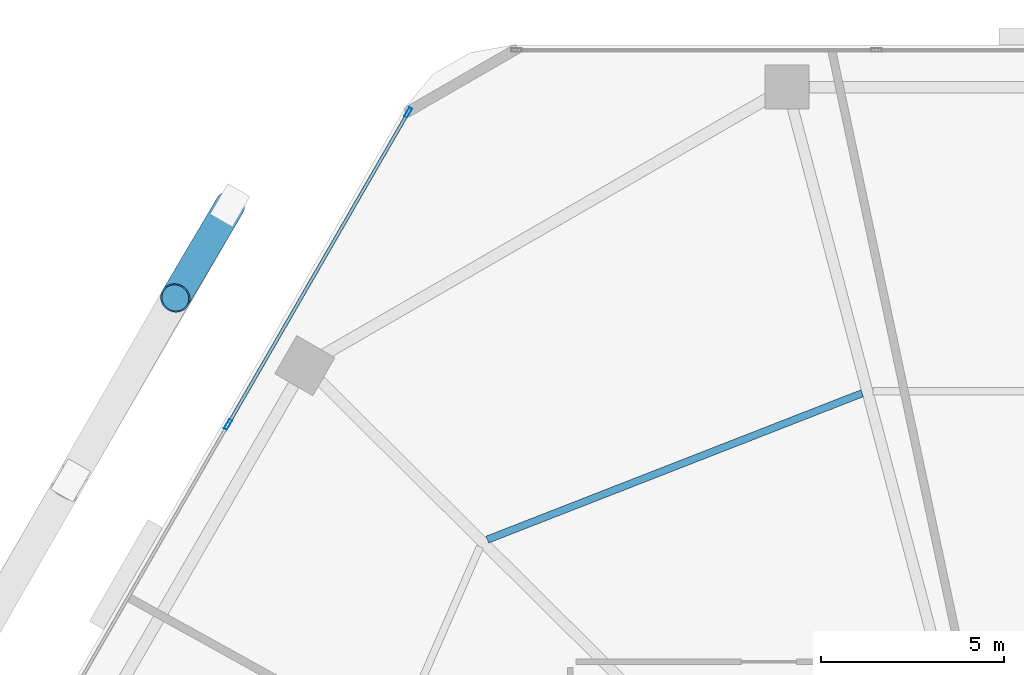
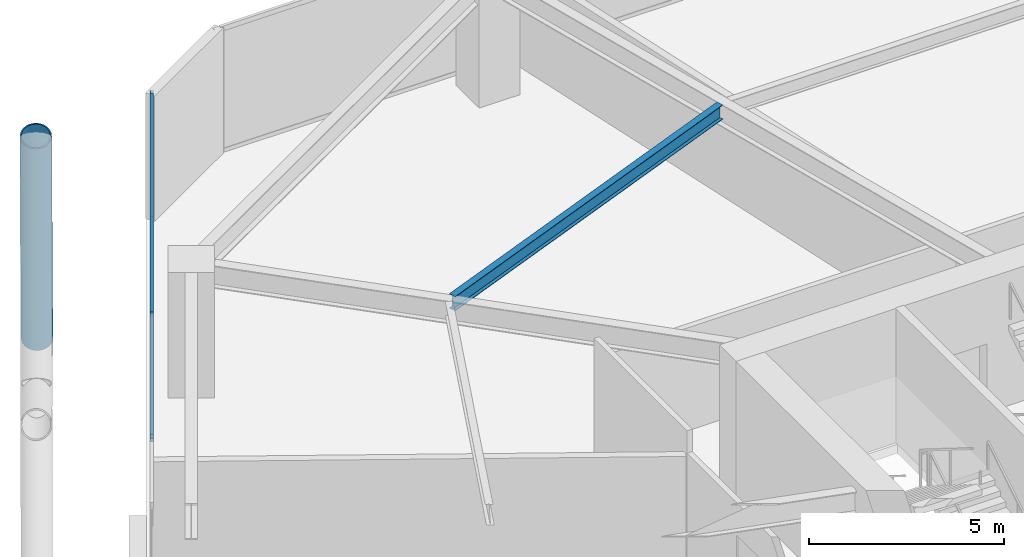
# One storey, part 16 of 30: 5 members, 1 beam, 1 element without a shape of its own.
"""IFC4 building model written with IfcOpenShell, lengths in metres."""

import ifcopenshell
import ifcopenshell.guid

model = None  # the IFC model being written
_history = None  # IfcOwnerHistory: only IFC2X3 demands one
_inside = {}  # id of a spatial element -> (the spatial element, [elements in it])
_under = {}  # id of a project, library or spatial element -> (it, [spatial elements below it])
_declared = {}  # id of a project -> (the project, [libraries it declares])
_typed = {}  # id of a type object -> (the type object, [elements of that type])
_made_of = {}  # id of a material, layer set ... -> (it, [elements and type objects made of it])


def new_model(schema):
    """Start an empty IFC model of exactly this schema.

    Asked for "IFC4X3", IfcOpenShell would pick the latest addendum, in which some entities
    have other attributes; the version numbers below select the first issue.
    IFC2X3 requires an IfcOwnerHistory on every rooted entity: one is made here for all.
    """
    global model, _history
    if schema == "IFC4X3":
        model = ifcopenshell.file(schema_version=(4, 3, 0, 0))
    else:
        model = ifcopenshell.file(schema=schema)
    _inside.clear()
    _under.clear()
    _declared.clear()
    _typed.clear()
    _made_of.clear()
    _history = None
    if model.schema == "IFC2X3":
        org = make("IfcOrganization", Name="unknown")
        user = make(
            "IfcPersonAndOrganization",
            ThePerson=make("IfcPerson", FamilyName="unknown"),
            TheOrganization=org,
        )
        app = make(
            "IfcApplication",
            ApplicationDeveloper=org,
            Version="unknown",
            ApplicationFullName="unknown",
            ApplicationIdentifier="unknown",
        )
        _history = make(
            "IfcOwnerHistory",
            OwningUser=user,
            OwningApplication=app,
            ChangeAction="ADDED",
            CreationDate=0,
        )
    return model


def make(cls, **values):
    """One entity of the class cls with the attributes given. An attribute that is None is left unset."""
    return model.create_entity(
        cls, **{name: value for name, value in values.items() if value is not None}
    )


def rooted(cls, **values):
    """An entity with a GlobalId (a new one), such as an element, a storey or a relation."""
    return make(cls, GlobalId=ifcopenshell.guid.new(), OwnerHistory=_history, **values)


def si_unit(unit_type, name, prefix=None):
    """IfcSIUnit, for example si_unit("LENGTHUNIT", "METRE", prefix="MILLI")."""
    return make("IfcSIUnit", UnitType=unit_type, Prefix=prefix, Name=name)


def assignment(units):
    """IfcUnitAssignment: the units of a project."""
    return None if units is None else make("IfcUnitAssignment", Units=units)


def point(xyz):
    """IfcCartesianPoint."""
    return None if xyz is None else make("IfcCartesianPoint", Coordinates=xyz)


def direction(xyz):
    """IfcDirection."""
    return None if xyz is None else make("IfcDirection", DirectionRatios=xyz)


def frame(location, z_axis=None, x_axis=None):
    """IfcAxis2Placement3D, a coordinate frame: its origin and axes. An axis left out is left unset."""
    return make(
        "IfcAxis2Placement3D",
        Location=point(location),
        Axis=direction(z_axis),
        RefDirection=direction(x_axis),
    )


def frame_2d(location, x_axis=None):
    """IfcAxis2Placement2D, a coordinate frame in the plane: its origin and x axis."""
    return make(
        "IfcAxis2Placement2D", Location=point(location), RefDirection=direction(x_axis)
    )


def origin():
    """The frame at (0, 0, 0) with its axes left unset."""
    return frame((0.0, 0.0, 0.0))


def origin_2d():
    """The frame at (0, 0) in the plane with its x axis left unset."""
    return frame_2d((0.0, 0.0))


def place(relative_to, where):
    """IfcLocalPlacement: puts the frame where relative to a parent placement (None: the world)."""
    return make(
        "IfcLocalPlacement", PlacementRelTo=relative_to, RelativePlacement=where
    )


def context(
    kind, dimensions, precision=None, world=None, true_north=None, identifier=None
):
    """IfcGeometricRepresentationContext, for example the 3D "Model" context."""
    return make(
        "IfcGeometricRepresentationContext",
        ContextIdentifier=identifier,
        ContextType=kind,
        CoordinateSpaceDimension=dimensions,
        Precision=precision,
        WorldCoordinateSystem=world,
        TrueNorth=true_north,
    )


def subcontext(parent, identifier, kind, view, scale=None):
    """IfcGeometricRepresentationSubContext, for example "Body" below "Model"."""
    return make(
        "IfcGeometricRepresentationSubContext",
        ContextIdentifier=identifier,
        ContextType=kind,
        ParentContext=parent,
        TargetScale=scale,
        TargetView=view,
    )


def project(units=None, contexts=None):
    """IfcProject with its units and contexts."""
    return rooted(
        "IfcProject",
        Name="project",
        RepresentationContexts=contexts,
        UnitsInContext=assignment(units),
    )


def spatial(cls, under=None, at=None, **own):
    """A site, building, storey or space (cls), placed at a placement, below another one or the project."""
    s = rooted(cls, ObjectPlacement=at, **own)
    if under is not None:
        _under.setdefault(under.id(), (under, []))[1].append(s)
    return s


def profile(cls, at=None, kind="AREA", **sizes):
    """A parametric profile (cls). Its sizes go by their IFC names, for example OverallWidth=200.0."""
    return make(cls, ProfileType=kind, Position=at, **sizes)


def hollow_rectangle(**sizes):
    """IfcRectangleHollowProfileDef."""
    return profile("IfcRectangleHollowProfileDef", **sizes)


def hollow_circle(**sizes):
    """IfcCircleHollowProfileDef."""
    return profile("IfcCircleHollowProfileDef", **sizes)


def i_section(**sizes):
    """IfcIShapeProfileDef."""
    return profile("IfcIShapeProfileDef", **sizes)


def extrude(swept, where, along, depth):
    """IfcExtrudedAreaSolid: the profile swept, set in the frame where, extruded along a direction by depth."""
    return make(
        "IfcExtrudedAreaSolid",
        SweptArea=swept,
        Position=where,
        ExtrudedDirection=direction(along),
        Depth=depth,
    )


def shape(context_of_items, identifier, shape_type, items):
    """IfcShapeRepresentation: the items that make up one representation, for example the "Body"."""
    return make(
        "IfcShapeRepresentation",
        ContextOfItems=context_of_items,
        RepresentationIdentifier=identifier,
        RepresentationType=shape_type,
        Items=items,
    )


def material(Name=None, Category=None):
    """IfcMaterial."""
    return make("IfcMaterial", Name=Name, Category=Category)


def material_profile(
    of_material, cross_section, Name=None, Category=None, Priority=None
):
    """IfcMaterialProfile: a cross section and its material."""
    return make(
        "IfcMaterialProfile",
        Name=Name,
        Material=of_material,
        Profile=cross_section,
        Priority=Priority,
        Category=Category,
    )


def profile_set(profiles, Name=None, composite=None):
    """IfcMaterialProfileSet."""
    return make(
        "IfcMaterialProfileSet",
        Name=Name,
        MaterialProfiles=profiles,
        CompositeProfile=composite,
    )


def made_of(thing, what):
    """Note that an element or type object is made of a material, layer set ...; save() writes the relation."""
    if what is not None:
        _made_of.setdefault(what.id(), (what, []))[1].append(thing)
    return thing


def type_object(cls, material=None, **own):
    """A type object (cls), such as IfcWallType, which elements share."""
    return made_of(rooted(cls, **own), material)


def element(
    cls,
    number,
    at=None,
    inside=None,
    cuts=None,
    type_object=None,
    material=None,
    context=None,
    identifier="Body",
    shape_type=None,
    held_by="IfcProductDefinitionShape",
    body=None,
    shapes=None,
    **own,
):
    """One element of the class cls, such as IfcWall. Its Tag is "e" and its number.

    at: its placement. inside: the storey or other place that contains it. cuts: it is an
    opening in that element (IfcRelVoidsElement). A single representation is given by context,
    identifier, shape_type and body (its items); several are given by shapes. held_by: the class
    of the entity that holds the representations. save() writes the other relations.
    """
    e = rooted(cls, Tag="e%d" % number, ObjectPlacement=at, **own)
    if body is not None:
        shapes = [shape(context, identifier, shape_type, body)]
    if shapes is not None:
        e.Representation = make(held_by, Representations=shapes)
    if inside is not None:
        _inside.setdefault(inside.id(), (inside, []))[1].append(e)
    if cuts is not None:
        rooted(
            "IfcRelVoidsElement", RelatingBuildingElement=cuts, RelatedOpeningElement=e
        )
    if type_object is not None:
        _typed.setdefault(type_object.id(), (type_object, []))[1].append(e)
    return made_of(e, material)


def aggregate(whole, parts):
    """IfcRelAggregates: a whole, such as a stair, and the parts it consists of."""
    return rooted("IfcRelAggregates", RelatingObject=whole, RelatedObjects=parts)


def save(model, path):
    """Write the relations noted so far, then the file.

    IfcRelAggregates (storeys below a building ...), IfcRelContainedInSpatialStructure (elements
    in a storey), IfcRelDefinesByType, IfcRelAssociatesMaterial and IfcRelDeclares: one each for
    every whole, place, type object, material and project.
    """
    for whole, parts in _under.values():
        aggregate(whole, parts)
    for where, things in _inside.values():
        rooted(
            "IfcRelContainedInSpatialStructure",
            RelatedElements=things,
            RelatingStructure=where,
        )
    for kind, things in _typed.values():
        rooted("IfcRelDefinesByType", RelatedObjects=things, RelatingType=kind)
    for what, things in _made_of.values():
        rooted("IfcRelAssociatesMaterial", RelatedObjects=things, RelatingMaterial=what)
    for by, libraries in _declared.values():
        rooted("IfcRelDeclares", RelatingContext=by, RelatedDefinitions=libraries)
    model.write(path)


model = new_model("IFC4")

# Units and contexts
model_context = context("Model", 3, precision=1e-05, world=origin(), true_north=direction((0.0, 1.0)))
body_context = subcontext(model_context, "Body", "Model", "MODEL_VIEW")
ifc_project = project(units=[si_unit("LENGTHUNIT", "METRE"), si_unit("AREAUNIT", "SQUARE_METRE"), si_unit("VOLUMEUNIT", "CUBIC_METRE"), si_unit("PLANEANGLEUNIT", "RADIAN"), si_unit("MASSUNIT", "GRAM", prefix="KILO")], contexts=[model_context])

# Site, building, storey
site_placement = place(None, origin())
site = spatial("IfcSite", under=ifc_project, at=site_placement, CompositionType="ELEMENT")
building_placement = place(site_placement, origin())
building = spatial("IfcBuilding", under=site, at=building_placement, Name="Zuhravey Tower", CompositionType="ELEMENT")
storey_placement = place(building_placement, frame((0.0, 0.0, 58.199951171875)))
storey = spatial("IfcBuildingStorey", under=building, at=storey_placement, Name="L14", CompositionType="ELEMENT", Elevation=58.199951171875)

# Curtain wall, members
ifc_material_1 = material(Name="Thermally broken anodised aluminium", Category="aluminium")
curtain_wall_type = type_object("IfcCurtainWallType", Name="School Low-E Unitised Curtain Wall CW1", PredefinedType="NOTDEFINED", material=ifc_material_1)
curtain_wall_placement = place(storey_placement, origin())
curtain_wall = element("IfcCurtainWall", 1, at=curtain_wall_placement, inside=storey, type_object=curtain_wall_type, Name="L14 CW1 CW-L14-F3-1", PredefinedType="NOTDEFINED")
ifc_material_2 = material(Name="Anodised aluminium", Category="aluminium")
ifc_material_profile_1 = material_profile(ifc_material_2, hollow_rectangle(XDim=0.090087890625, YDim=0.284912109375, WallThickness=0.0048828125, at=origin_2d()), Name="ALU-RHS-90x285x5")
ifc_profile_set_1 = profile_set([ifc_material_profile_1], Name="Anodised aluminium")
member_type_1 = type_object("IfcMemberType", Name="Curtain-Wall Mullion 90x180", PredefinedType="MULLION", material=ifc_profile_set_1)
member_1_placement = place(storey_placement, frame((13.387939453125, 50.75146484375, 0.0), z_axis=(0.0, 0.0, 1.0), x_axis=(-0.86602552265, 0.499999794119, 0.0)))
member_1 = element("IfcMember", 2, at=member_1_placement, type_object=member_type_1, Name="CW1 mullion 3", PredefinedType="MULLION", context=body_context, shape_type="SweptSolid", body=[
    extrude(hollow_rectangle(XDim=0.090087890625, YDim=0.284912109375, WallThickness=0.0048828125, at=origin_2d()), origin(), (0.0, 0.0, 1.0), 3.920166015625),
])
member_2_placement = place(storey_placement, frame((18.298583984375, 59.257080078125, 0.0), z_axis=(0.0, 0.0, 1.0), x_axis=(-0.86602552265, 0.499999794119, 0.0)))
member_2 = element("IfcMember", 3, at=member_2_placement, type_object=member_type_1, Name="CW1 mullion 4", PredefinedType="MULLION", context=body_context, shape_type="SweptSolid", body=[
    extrude(hollow_rectangle(XDim=0.090087890625, YDim=0.284912109375, WallThickness=0.0048828125, at=origin_2d()), origin(), (0.0, 0.0, 1.0), 3.920166015625),
])
ifc_material_profile_2 = material_profile(ifc_material_2, hollow_rectangle(XDim=0.090087890625, YDim=0.14990234375, WallThickness=0.0048828125, at=origin_2d()), Name="ALU-RHS-90x150x5")
ifc_profile_set_2 = profile_set([ifc_material_profile_2], Name="Anodised aluminium")
member_type_2 = type_object("IfcMemberType", Name="Curtain-Wall Transom 90x150", PredefinedType="USERDEFINED", material=ifc_profile_set_2)
member_3_placement = place(storey_placement, frame((13.410400390625, 50.79052734375, 0.045166015625), z_axis=(0.499989576763, 0.86603142156, 0.0), x_axis=(-0.86603142156, 0.499989576763, 0.0)))
member_3 = element("IfcMember", 4, at=member_3_placement, type_object=member_type_2, Name="CW1 transom 3.1", ObjectType="TRANSOM", PredefinedType="USERDEFINED", context=body_context, shape_type="SweptSolid", body=[
    extrude(hollow_rectangle(XDim=0.090087890625, YDim=0.14990234375, WallThickness=0.0048828125, at=origin_2d()), origin(), (0.0, 0.0, 1.0), 9.731201171875),
])
member_4_placement = place(storey_placement, frame((13.410400390625, 50.79052734375, 3.875), z_axis=(0.499989576763, 0.86603142156, 0.0), x_axis=(-0.86603142156, 0.499989576763, 0.0)))
member_4 = element("IfcMember", 5, at=member_4_placement, type_object=member_type_2, Name="CW1 transom 3.2", ObjectType="TRANSOM", PredefinedType="USERDEFINED", context=body_context, shape_type="SweptSolid", body=[
    extrude(hollow_rectangle(XDim=0.090087890625, YDim=0.14990234375, WallThickness=0.0048828125, at=origin_2d()), origin(), (0.0, 0.0, 1.0), 9.731201171875),
])
aggregate(curtain_wall, [member_1, member_2, member_3, member_4])

# Member
ifc_material_3 = material(Name="Steel SM460", Category="steel")
ifc_material_profile_3 = material_profile(ifc_material_3, hollow_circle(Radius=0.406494140625, WallThickness=0.035888671875, at=origin_2d()), Name="CHS-812.8x36")
ifc_profile_set_3 = profile_set([ifc_material_profile_3], Name="Steel SM460")
member_type_3 = type_object("IfcMemberType", Name="Exoskeleton Zone 1 Diagrid CHS813x36", PredefinedType="BRACE", material=ifc_profile_set_3)
member_5_placement = place(storey_placement, frame((13.439697265625, 56.721435546875, -0.471923828125), z_axis=(-0.168255765182, -0.284672651548, 0.943743333192), x_axis=(0.860873401885, -0.508819207507, 0.0)))
element("IfcMember", 6, at=member_5_placement, inside=storey, type_object=member_type_3, Name="L14 Face 3 Diagrid Brace 1", PredefinedType="BRACE", context=body_context, shape_type="SweptSolid", body=[
    extrude(hollow_circle(Radius=0.406494140625, WallThickness=0.035888671875, at=origin_2d()), origin(), (0.0, 0.0, 1.0), 8.85400390625),
])

# Beam
ifc_material_4 = material(Name="Steel SM355", Category="steel")
ifc_material_profile_4 = material_profile(ifc_material_4, i_section(OverallWidth=0.199951171875, OverallDepth=0.449951171875, WebThickness=0.009033203125, FlangeThickness=0.013916015625, at=origin_2d()), Name="H-450x200x9x14")
ifc_profile_set_4 = profile_set([ifc_material_profile_4], Name="Steel SM355")
beam_type = type_object("IfcBeamType", Name="Secondary Floor Joist H450x200", PredefinedType="JOIST", material=ifc_profile_set_4)
beam_placement = place(storey_placement, frame((30.67236328125, 51.60302734375, 3.695068359375), z_axis=(-0.931516535886, -0.363698973562, 0.0), x_axis=(0.363698973562, -0.931516535886, 0.0)))
element("IfcBeam", 7, at=beam_placement, inside=storey, type_object=beam_type, Name="L14 SJ1 BM-L14-SJ-04-1", PredefinedType="JOIST", context=body_context, shape_type="SweptSolid", body=[
    extrude(i_section(OverallWidth=0.199951171875, OverallDepth=0.449951171875, WebThickness=0.009033203125, FlangeThickness=0.013916015625, at=origin_2d()), origin(), (0.0, 0.0, 1.0), 10.963134765625),
])

save(model, "model.ifc")
